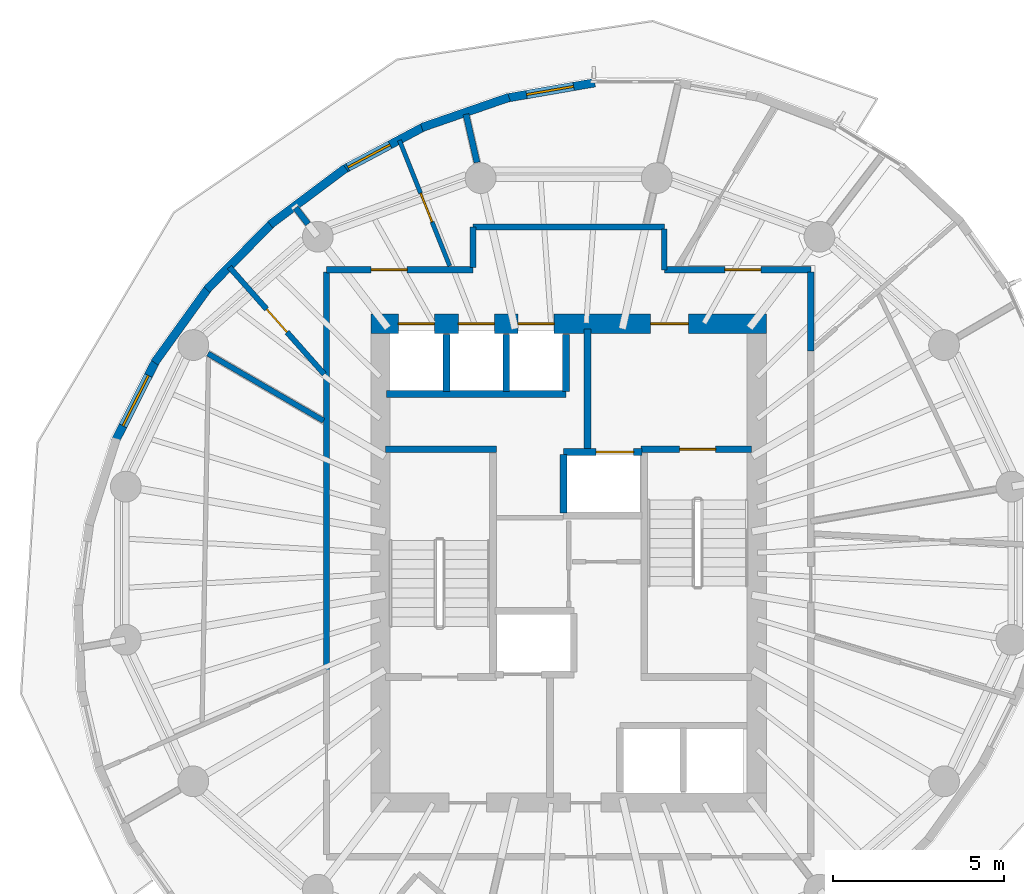
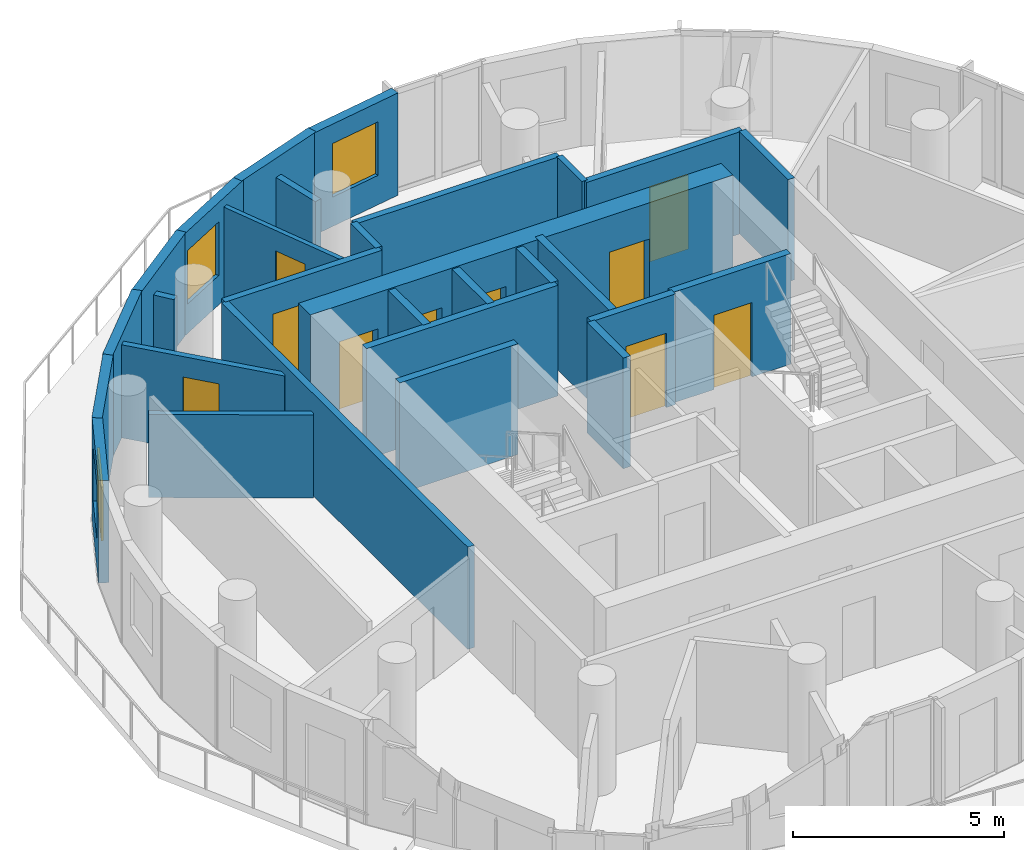
# One storey, part 6 of 10: 29 walls, 10 doors, 3 windows, 13 openings.
"""IFC4 building model written with IfcOpenShell, lengths in metres."""

from ifc_helpers import new_model, si_unit, direction, frame, frame_2d, origin, place, context, subcontext, project, spatial, rectangle, extrude, material, layer, layer_set, type_object, element, fill, save


model = new_model("IFC4")

# Units and contexts
model_context = context("Model", 3, precision=1e-05, world=origin(), true_north=direction((0.0, 1.0)))
body_context = subcontext(model_context, "Body", "Model", "MODEL_VIEW")
ifc_project = project(units=[si_unit("LENGTHUNIT", "METRE"), si_unit("AREAUNIT", "SQUARE_METRE"), si_unit("VOLUMEUNIT", "CUBIC_METRE"), si_unit("PLANEANGLEUNIT", "RADIAN"), si_unit("MASSUNIT", "GRAM", prefix="KILO")], contexts=[model_context])

# Site, building, storey
site_placement = place(None, origin())
site = spatial("IfcSite", under=ifc_project, at=site_placement, CompositionType="ELEMENT")
building_placement = place(site_placement, origin())
building = spatial("IfcBuilding", under=site, at=building_placement, Name="Veldorim Arch Residences", CompositionType="ELEMENT")
storey_placement = place(building_placement, frame((0.0, 0.0, 169.43994140625)))
storey = spatial("IfcBuildingStorey", under=building, at=storey_placement, Name="L50", CompositionType="ELEMENT", Elevation=169.43994140625)

# Wall, opening, door
ifc_material_1 = material(Name="Acoustic Gypsum Board", Category="gypsum")
ifc_layer_1 = layer(ifc_material_1, 0.125, Name="Acoustic Stud Room Partition Wall 125")
ifc_layer_set_1 = layer_set([ifc_layer_1], Name="Acoustic Gypsum Board")
wall_type_1 = type_object("IfcWallType", Name="Acoustic Stud Room Partition Wall 125", PredefinedType="PARTITIONING", material=ifc_layer_set_1)
wall_1_placement = place(storey_placement, frame((27.052734375, 36.364990234375, 0.0), z_axis=(0.0, 0.0, 1.0), x_axis=(0.371454506587, -0.928451156247, 0.0)))
wall_1 = element("IfcWall", 1, at=wall_1_placement, inside=storey, type_object=wall_type_1, Name="L50 interior wall WL-RES-L50-022", PredefinedType="PARTITIONING", context=body_context, shape_type="SweptSolid", body=[
    extrude(rectangle(XDim=3.956787109375, YDim=0.125, at=frame_2d((1.978515625, 0.0))), origin(), (0.0, 0.0, 1.0), 2.692138671875),
])
opening_1_placement = place(wall_1_placement, frame((1.66845703125, 0.0, 0.0)))
opening_1 = element("IfcOpeningElement", 2, at=opening_1_placement, cuts=wall_1, Name="Opening DR-INT", PredefinedType="OPENING", context=body_context, shape_type="SweptSolid", body=[
    extrude(rectangle(XDim=0.89990234375, YDim=2.10009765625, at=frame_2d((0.449951171875, 1.050048828125))), frame((0.0, 0.072509765625, 0.0), z_axis=(0.0, -1.0, 0.0), x_axis=(1.0, 0.0, 0.0)), (0.0, 0.0, 1.0), 0.14501953125),
])
ifc_material_2 = material(Name="Engineered Timber", Category="wood")
door_type_1 = type_object("IfcDoorType", Name="Apartment Internal Room Timber Door 900x2100", OperationType="SINGLE_SWING_LEFT", PredefinedType="DOOR", material=ifc_material_2)
door_1_placement = place(opening_1_placement, origin())
door_1 = element("IfcDoor", 3, at=door_1_placement, inside=storey, type_object=door_type_1, Name="L50 interior door DR-RES-L50-012", OperationType="SINGLE_SWING_RIGHT", OverallHeight=2.10009765625, OverallWidth=0.89990234375, PredefinedType="DOOR", context=body_context, shape_type="SweptSolid", body=[
    extrude(rectangle(XDim=0.89990234375, YDim=2.10009765625, at=frame_2d((0.449951171875, 1.050048828125))), frame((0.0, 0.02490234375, 0.0), z_axis=(0.0, -1.0, 0.0), x_axis=(1.0, 0.0, 0.0)), (0.0, 0.0, 1.0), 0.050048828125),
])
fill(opening_1, door_1)

# Walls
ifc_material_3 = material(Name="Lightweight Masonry Block & Gypsum", Category="masonry")
ifc_layer_2 = layer(ifc_material_3, 0.179931640625, Name="Compartment & Corridor Fire-Rated Party Wall 180")
ifc_layer_set_2 = layer_set([ifc_layer_2], Name="Lightweight Masonry Block & Gypsum")
wall_type_2 = type_object("IfcWallType", Name="Compartment & Corridor Fire-Rated Party Wall 180", PredefinedType="PARTITIONING", material=ifc_layer_set_2)
wall_2_placement = place(storey_placement, frame((29.320068359375, 35.717529296875, 0.0), z_axis=(0.0, 0.0, 1.0), x_axis=(-0.22299884629, 0.974818708557, 0.0)))
element("IfcWall", 4, at=wall_2_placement, inside=storey, type_object=wall_type_2, Name="L50 interior wall WL-PIER-L50-05", PredefinedType="PARTITIONING", context=body_context, shape_type="SweptSolid", body=[
    extrude(rectangle(XDim=1.447265625, YDim=0.179931640625, at=frame_2d((0.7236328125, 0.0))), origin(), (0.0, 0.0, 1.0), 2.403564453125),
])
wall_3_placement = place(storey_placement, frame((24.380126953125, 33.91796875, 0.0), z_axis=(0.0, 0.0, 1.0), x_axis=(-0.609274747308, 0.792959193334, 0.0)))
element("IfcWall", 5, at=wall_3_placement, inside=storey, type_object=wall_type_2, Name="L50 interior wall WL-PIER-L50-06", PredefinedType="PARTITIONING", context=body_context, shape_type="SweptSolid", body=[
    extrude(rectangle(XDim=0.595458984375, YDim=0.179931640625, at=frame_2d((0.2978515625, 0.0))), origin(), (0.0, 0.0, 1.0), 2.403564453125),
])

# Wall, opening, door
wall_4_placement = place(storey_placement, frame((34.800048828125, 32.580078125, 0.0), z_axis=(0.0, 0.0, 1.0), x_axis=(1.0, 0.0, 0.0)))
wall_4 = element("IfcWall", 6, at=wall_4_placement, inside=storey, type_object=wall_type_2, Name="L50 interior wall WL-RES-L50-003", PredefinedType="PARTITIONING", context=body_context, shape_type="SweptSolid", body=[
    extrude(rectangle(XDim=4.280029296875, YDim=0.179931640625, at=frame_2d((2.14013671875, 0.0))), origin(), (0.0, 0.0, 1.0), 2.955078125),
])
opening_2_placement = place(wall_4_placement, frame((1.76904296875, 0.0, 0.0)))
opening_2 = element("IfcOpeningElement", 7, at=opening_2_placement, cuts=wall_4, Name="Opening DR-FLT", PredefinedType="OPENING", context=body_context, shape_type="SweptSolid", body=[
    extrude(rectangle(XDim=1.050048828125, YDim=2.14990234375, at=frame_2d((0.52490234375, 1.074951171875))), frame((0.0, 0.099853515625, 0.0), z_axis=(0.0, -1.0, 0.0), x_axis=(1.0, 0.0, 0.0)), (0.0, 0.0, 1.0), 0.199951171875),
])
ifc_material_4 = material(Name="Fire-Rated Timber", Category="wood")
door_type_2 = type_object("IfcDoorType", Name="Apartment Entrance Solid-Core Fire Door 1050x2150", OperationType="SINGLE_SWING_LEFT", PredefinedType="DOOR", material=ifc_material_4)
door_2_placement = place(opening_2_placement, origin())
door_2 = element("IfcDoor", 8, at=door_2_placement, inside=storey, type_object=door_type_2, Name="L50 interior door DR-RES-L50-006", OperationType="SINGLE_SWING_RIGHT", OverallHeight=2.14990234375, OverallWidth=1.050048828125, PredefinedType="DOOR", context=body_context, shape_type="SweptSolid", body=[
    extrude(rectangle(XDim=1.050048828125, YDim=2.14990234375, at=frame_2d((0.52490234375, 1.074951171875))), frame((0.0, 0.02490234375, 0.0), z_axis=(0.0, -1.0, 0.0), x_axis=(1.0, 0.0, 0.0)), (0.0, 0.0, 1.0), 0.050048828125),
])
fill(opening_2, door_2)

# Walls
wall_5_placement = place(storey_placement, frame((39.080078125, 32.52001953125, 0.0), z_axis=(0.0, 0.0, 1.0), x_axis=(0.0, -1.0, 0.0)))
element("IfcWall", 9, at=wall_5_placement, inside=storey, type_object=wall_type_2, Name="L50 interior wall WL-RES-L50-004", PredefinedType="PARTITIONING", context=body_context, shape_type="SweptSolid", body=[
    extrude(rectangle(XDim=2.31884765625, YDim=0.179931640625, at=frame_2d((1.159423828125, 0.0))), origin(), (0.0, 0.0, 1.0), 2.955078125),
])
wall_6_placement = place(storey_placement, frame((29.199951171875, 33.830078125, 0.0), z_axis=(0.0, 0.0, 1.0), x_axis=(1.0, 0.0, 0.0)))
element("IfcWall", 10, at=wall_6_placement, inside=storey, type_object=wall_type_2, Name="L50 interior wall WL-RES-L50-005", PredefinedType="PARTITIONING", context=body_context, shape_type="SweptSolid", body=[
    extrude(rectangle(XDim=5.60009765625, YDim=0.179931640625, at=frame_2d((2.800048828125, 0.0))), origin(), (0.0, 0.0, 1.0), 2.955078125),
])

# Wall, opening, door
wall_7_placement = place(storey_placement, frame((24.919921875, 32.580078125, 0.0), z_axis=(0.0, 0.0, 1.0), x_axis=(1.0, 0.0, 0.0)))
wall_7 = element("IfcWall", 11, at=wall_7_placement, inside=storey, type_object=wall_type_2, Name="L50 interior wall WL-RES-L50-007", PredefinedType="PARTITIONING", context=body_context, shape_type="SweptSolid", body=[
    extrude(rectangle(XDim=4.280029296875, YDim=0.179931640625, at=frame_2d((2.14013671875, 0.0))), origin(), (0.0, 0.0, 1.0), 2.955078125),
])
opening_3_placement = place(wall_7_placement, frame((1.30859375, 0.0, 0.0)))
opening_3 = element("IfcOpeningElement", 12, at=opening_3_placement, cuts=wall_7, Name="Opening DR-FLT", PredefinedType="OPENING", context=body_context, shape_type="SweptSolid", body=[
    extrude(rectangle(XDim=1.050048828125, YDim=2.14990234375, at=frame_2d((0.52490234375, 1.074951171875))), frame((0.0, 0.099853515625, 0.0), z_axis=(0.0, -1.0, 0.0), x_axis=(1.0, 0.0, 0.0)), (0.0, 0.0, 1.0), 0.199951171875),
])
door_3_placement = place(opening_3_placement, origin())
door_3 = element("IfcDoor", 13, at=door_3_placement, inside=storey, type_object=door_type_2, Name="L50 interior door DR-RES-L50-010", OperationType="SINGLE_SWING_RIGHT", OverallHeight=2.14990234375, OverallWidth=1.050048828125, PredefinedType="DOOR", context=body_context, shape_type="SweptSolid", body=[
    extrude(rectangle(XDim=1.050048828125, YDim=2.14990234375, at=frame_2d((0.52490234375, 1.074951171875))), frame((0.0, 0.02490234375, 0.0), z_axis=(0.0, -1.0, 0.0), x_axis=(1.0, 0.0, 0.0)), (0.0, 0.0, 1.0), 0.050048828125),
])
fill(opening_3, door_3)

# Walls
wall_8_placement = place(storey_placement, frame((24.919921875, 20.85009765625, 0.0), z_axis=(0.0, 0.0, 1.0), x_axis=(0.0, 1.0, 0.0)))
element("IfcWall", 14, at=wall_8_placement, inside=storey, type_object=wall_type_2, Name="L50 interior wall WL-RES-L50-008", PredefinedType="PARTITIONING", context=body_context, shape_type="SweptSolid", body=[
    extrude(rectangle(XDim=11.669921875, YDim=0.179931640625, at=frame_2d((5.8349609375, 0.0))), origin(), (0.0, 0.0, 1.0), 2.955078125),
])
wall_9_placement = place(storey_placement, frame((29.199951171875, 32.639892578125, 0.0), z_axis=(0.0, 0.0, 1.0), x_axis=(0.0, 1.0, 0.0)))
element("IfcWall", 15, at=wall_9_placement, inside=storey, type_object=wall_type_2, Name="L50 interior wall WL-RES-L50-009", PredefinedType="PARTITIONING", context=body_context, shape_type="SweptSolid", body=[
    extrude(rectangle(XDim=1.190185546875, YDim=0.179931640625, at=frame_2d((0.59521484375, 0.0))), origin(), (0.0, 0.0, 1.0), 2.955078125),
])
ifc_material_5 = material(Name="Concrete C50/60", Category="concrete")
ifc_layer_3 = layer(ifc_material_5, 0.199951171875, Name="Core Stair & Lift Shaft Enclosure Wall 200")
ifc_layer_set_3 = layer_set([ifc_layer_3], Name="Concrete C50/60")
wall_type_3 = type_object("IfcWallType", Name="Core Stair & Lift Shaft Enclosure Wall 200", PredefinedType="SHEAR", material=ifc_layer_set_3)
wall_10_placement = place(storey_placement, frame((26.64990234375, 27.330078125, 0.0), z_axis=(0.0, 0.0, 1.0), x_axis=(1.0, 0.0, 0.0)))
element("IfcWall", 16, at=wall_10_placement, inside=storey, type_object=wall_type_3, Name="L50 shaft wall WL-SHF-L50-ST1-N", PredefinedType="SHEAR", context=body_context, shape_type="SweptSolid", body=[
    extrude(rectangle(XDim=3.239990234375, YDim=0.199951171875, at=frame_2d((1.6201171875, 0.0))), origin(), (0.0, 0.0, 1.0), 3.199951171875),
])

# Wall, opening, door
wall_11_placement = place(storey_placement, frame((34.110107421875, 27.330078125, 0.0), z_axis=(0.0, 0.0, 1.0), x_axis=(1.0, 0.0, 0.0)))
wall_11 = element("IfcWall", 17, at=wall_11_placement, inside=storey, type_object=wall_type_3, Name="L50 shaft wall WL-SHF-L50-ST2-N", PredefinedType="SHEAR", context=body_context, shape_type="SweptSolid", body=[
    extrude(rectangle(XDim=3.239990234375, YDim=0.199951171875, at=frame_2d((1.6201171875, 0.0))), origin(), (0.0, 0.0, 1.0), 3.199951171875),
])
opening_4_placement = place(wall_11_placement, frame((1.135009765625, 0.0, 0.0)))
opening_4 = element("IfcOpeningElement", 18, at=opening_4_placement, cuts=wall_11, Name="Opening DR-ST", PredefinedType="OPENING", context=body_context, shape_type="SweptSolid", body=[
    extrude(rectangle(XDim=1.050048828125, YDim=2.14990234375, at=frame_2d((0.52490234375, 1.074951171875))), frame((0.0, 0.10986328125, 0.0), z_axis=(0.0, -1.0, 0.0), x_axis=(1.0, 0.0, 0.0)), (0.0, 0.0, 1.0), 0.219970703125),
])
ifc_material_6 = material(Name="Fire-Rated Steel", Category="steel")
door_type_3 = type_object("IfcDoorType", Name="Exit Staircase Self-Closing Fire Door 1050x2150", OperationType="SINGLE_SWING_LEFT", PredefinedType="DOOR", material=ifc_material_6)
door_4_placement = place(opening_4_placement, origin())
door_4 = element("IfcDoor", 19, at=door_4_placement, inside=storey, type_object=door_type_3, Name="L50 interior door DR-L50-ST2", OperationType="SINGLE_SWING_RIGHT", OverallHeight=2.14990234375, OverallWidth=1.050048828125, PredefinedType="DOOR", context=body_context, shape_type="SweptSolid", body=[
    extrude(rectangle(XDim=1.050048828125, YDim=2.14990234375, at=frame_2d((0.52490234375, 1.074951171875))), frame((0.0, 0.02490234375, 0.0), z_axis=(0.0, -1.0, 0.0), x_axis=(1.0, 0.0, 0.0)), (0.0, 0.0, 1.0), 0.050048828125),
])
fill(opening_4, door_4)

# Wall
wall_12_placement = place(storey_placement, frame((32.550048828125, 27.35009765625, 0.0), z_axis=(0.0, 0.0, 1.0), x_axis=(0.0, 1.0, 0.0)))
element("IfcWall", 20, at=wall_12_placement, inside=storey, type_object=wall_type_3, Name="L50 shaft wall WL-FFL2-L50-W", PredefinedType="SHEAR", context=body_context, shape_type="SweptSolid", body=[
    extrude(rectangle(XDim=3.5, YDim=0.199951171875, at=frame_2d((1.75, 0.0))), origin(), (0.0, 0.0, 1.0), 3.199951171875),
])

# Wall, opening, door
wall_13_placement = place(storey_placement, frame((31.85009765625, 27.25, 0.0), z_axis=(0.0, 0.0, 1.0), x_axis=(1.0, 0.0, 0.0)))
wall_13 = element("IfcWall", 21, at=wall_13_placement, inside=storey, type_object=wall_type_3, Name="L50 shaft wall WL-FL02-L50-N", PredefinedType="SHEAR", context=body_context, shape_type="SweptSolid", body=[
    extrude(rectangle(XDim=2.2998046875, YDim=0.199951171875, at=frame_2d((1.14990234375, 0.0))), origin(), (0.0, 0.0, 1.0), 3.199951171875),
])
opening_5_placement = place(wall_13_placement, frame((0.949951171875, 0.0, 0.0)))
opening_5 = element("IfcOpeningElement", 22, at=opening_5_placement, cuts=wall_13, Name="Opening LD-FF", PredefinedType="OPENING", context=body_context, shape_type="SweptSolid", body=[
    extrude(rectangle(XDim=1.10009765625, YDim=2.14990234375, at=frame_2d((0.550048828125, 1.074951171875))), frame((0.0, 0.10986328125, 0.0), z_axis=(0.0, -1.0, 0.0), x_axis=(1.0, 0.0, 0.0)), (0.0, 0.0, 1.0), 0.219970703125),
])
ifc_material_7 = material(Name="Stainless Steel", Category="steel")
door_type_4 = type_object("IfcDoorType", Name="Firefighting Lift Bi-Parting Sliding Landing Door 1100x2150", OperationType="DOUBLE_DOOR_SLIDING", PredefinedType="DOOR", material=ifc_material_7)
door_5_placement = place(opening_5_placement, origin())
door_5 = element("IfcDoor", 23, at=door_5_placement, inside=storey, type_object=door_type_4, Name="L50 lift landing door LD-L50-FL02", OperationType="DOUBLE_DOOR_SLIDING", OverallHeight=2.14990234375, OverallWidth=1.10009765625, PredefinedType="DOOR", context=body_context, shape_type="SweptSolid", body=[
    extrude(rectangle(XDim=1.10009765625, YDim=2.14990234375, at=frame_2d((0.550048828125, 1.074951171875))), frame((0.0, 0.02490234375, 0.0), z_axis=(0.0, -1.0, 0.0), x_axis=(1.0, 0.0, 0.0)), (0.0, 0.0, 1.0), 0.050048828125),
])
fill(opening_5, door_5)

# Walls
wall_14_placement = place(storey_placement, frame((31.85009765625, 25.469970703125, 0.0), z_axis=(0.0, 0.0, 1.0), x_axis=(0.0, 1.0, 0.0)))
element("IfcWall", 24, at=wall_14_placement, inside=storey, type_object=wall_type_3, Name="L50 shaft wall WL-FL02-L50-W", PredefinedType="SHEAR", context=body_context, shape_type="SweptSolid", body=[
    extrude(rectangle(XDim=1.7099609375, YDim=0.199951171875, at=frame_2d((0.85498046875, 0.0))), origin(), (0.0, 0.0, 1.0), 3.199951171875),
])
wall_15_placement = place(storey_placement, frame((26.679931640625, 28.949951171875, 0.0), z_axis=(0.0, 0.0, 1.0), x_axis=(1.0, 0.0, 0.0)))
element("IfcWall", 25, at=wall_15_placement, inside=storey, type_object=wall_type_3, Name="L50 shaft wall WL-B3-L50-S", PredefinedType="SHEAR", context=body_context, shape_type="SweptSolid", body=[
    extrude(rectangle(XDim=5.239990234375, YDim=0.199951171875, at=frame_2d((2.6201171875, 0.0))), origin(), (0.0, 0.0, 1.0), 3.199951171875),
])
for number, where, z_axis, x_axis, name in (
    (26, (31.919921875, 29.02001953125, 0.0), (0.0, 0.0, 1.0), (0.0, 1.0, 0.0), "L50 shaft wall WL-B3-L50-E"),
    (27, (28.425048828125, 29.02001953125, 0.0), (0.0, 0.0, 1.0), (0.0, 1.0, 0.0), "L50 shaft wall WL-B3-L50-D1"),
    (28, (30.175048828125, 29.02001953125, 0.0), (0.0, 0.0, 1.0), (0.0, 1.0, 0.0), "L50 shaft wall WL-B3-L50-D2"),
):
    element("IfcWall", number, at=place(storey_placement, frame(where, z_axis=z_axis, x_axis=x_axis)), inside=storey, type_object=wall_type_3, Name=name, PredefinedType="SHEAR", context=body_context, shape_type="SweptSolid", body=[
        extrude(rectangle(XDim=1.659912109375, YDim=0.199951171875, at=frame_2d((0.830078125, 0.0))), origin(), (0.0, 0.0, 1.0), 3.199951171875),
    ])

# Wall, opening, window
ifc_material_8 = material(Name="Precast concrete C40/50", Category="concrete")
ifc_layer_4 = layer(ifc_material_8, 0.25, Name="Tower Terracotta Spandrel & Pier Wall 250")
ifc_layer_set_4 = layer_set([ifc_layer_4], Name="Precast concrete C40/50")
wall_type_4 = type_object("IfcWallType", Name="Tower Terracotta Spandrel & Pier Wall 250", PredefinedType="SOLIDWALL", material=ifc_layer_set_4)
wall_16_placement = place(storey_placement, frame((30.15185546875, 37.595458984375, 0.0), z_axis=(0.0, 0.0, 1.0), x_axis=(0.985331154473, 0.170653203967, 0.0)))
wall_16 = element("IfcWall", 29, at=wall_16_placement, inside=storey, type_object=wall_type_4, Name="L50 terracotta facade wall 06", PredefinedType="SOLIDWALL", context=body_context, shape_type="SweptSolid", body=[
    extrude(rectangle(XDim=2.65087890625, YDim=0.25, at=frame_2d((1.325439453125, 0.0))), origin(), (0.0, 0.0, 1.0), 2.9599609375),
])
opening_6_placement = place(wall_16_placement, frame((0.625, 0.0, 0.85009765625)))
opening_6 = element("IfcOpeningElement", 30, at=opening_6_placement, cuts=wall_16, Name="Opening WN-02", PredefinedType="OPENING", context=body_context, shape_type="SweptSolid", body=[
    extrude(rectangle(XDim=1.39990234375, YDim=1.550048828125, at=frame_2d((0.699951171875, 0.77490234375))), frame((0.0, 0.135009765625, 0.0), z_axis=(0.0, -1.0, 0.0), x_axis=(1.0, 0.0, 0.0)), (0.0, 0.0, 1.0), 0.27001953125),
])
ifc_material_9 = material(Name="Laminated Low-E Glass", Category="glass")
window_type_1 = type_object("IfcWindowType", Name="Residential Casement Window 1400x1550", PartitioningType="SINGLE_PANEL", PredefinedType="WINDOW", material=ifc_material_9)
window_1_placement = place(opening_6_placement, origin())
window_1 = element("IfcWindow", 31, at=window_1_placement, inside=storey, type_object=window_type_1, Name="L50 solar-control facade window 06", OverallHeight=1.550048828125, OverallWidth=1.39990234375, PartitioningType="SINGLE_PANEL", PredefinedType="WINDOW", context=body_context, shape_type="SweptSolid", body=[
    extrude(rectangle(XDim=1.39990234375, YDim=1.550048828125, at=frame_2d((0.699951171875, 0.77490234375))), frame((0.0, 0.030029296875, 0.0), z_axis=(0.0, -1.0, 0.0), x_axis=(1.0, 0.0, 0.0)), (0.0, 0.0, 1.0), 0.06005859375),
])
fill(opening_6, window_1)

# Wall
wall_17_placement = place(storey_placement, frame((27.705078125, 36.7392578125, 0.0), z_axis=(0.0, 0.0, 1.0), x_axis=(0.945016150651, 0.327023661236, 0.0)))
element("IfcWall", 32, at=wall_17_placement, inside=storey, type_object=wall_type_4, Name="L50 terracotta facade wall 07", PredefinedType="SOLIDWALL", context=body_context, shape_type="SweptSolid", body=[
    extrude(rectangle(XDim=2.70166015625, YDim=0.25, at=frame_2d((1.350830078125, 0.0))), origin(), (0.0, 0.0, 1.0), 2.9599609375),
])

# Wall, opening, window
wall_18_placement = place(storey_placement, frame((25.388427734375, 35.495361328125, 0.0), z_axis=(0.0, 0.0, 1.0), x_axis=(0.88257494418, 0.47017174299, 0.0)))
wall_18 = element("IfcWall", 33, at=wall_18_placement, inside=storey, type_object=wall_type_4, Name="L50 terracotta facade wall 08", PredefinedType="SOLIDWALL", context=body_context, shape_type="SweptSolid", body=[
    extrude(rectangle(XDim=2.738525390625, YDim=0.25, at=frame_2d((1.369140625, 0.0))), origin(), (0.0, 0.0, 1.0), 2.9599609375),
])
opening_7_placement = place(wall_18_placement, frame((0.175048828125, 0.0, 0.85009765625)))
opening_7 = element("IfcOpeningElement", 34, at=opening_7_placement, cuts=wall_18, Name="Opening WN-02", PredefinedType="OPENING", context=body_context, shape_type="SweptSolid", body=[
    extrude(rectangle(XDim=1.39990234375, YDim=1.550048828125, at=frame_2d((0.699951171875, 0.77490234375))), frame((0.0, 0.135009765625, 0.0), z_axis=(0.0, -1.0, 0.0), x_axis=(1.0, 0.0, 0.0)), (0.0, 0.0, 1.0), 0.27001953125),
])
window_2_placement = place(opening_7_placement, origin())
window_2 = element("IfcWindow", 35, at=window_2_placement, inside=storey, type_object=window_type_1, Name="L50 solar-control facade window 08", OverallHeight=1.550048828125, OverallWidth=1.39990234375, PartitioningType="SINGLE_PANEL", PredefinedType="WINDOW", context=body_context, shape_type="SweptSolid", body=[
    extrude(rectangle(XDim=1.39990234375, YDim=1.550048828125, at=frame_2d((0.699951171875, 0.77490234375))), frame((0.0, 0.030029296875, 0.0), z_axis=(0.0, -1.0, 0.0), x_axis=(1.0, 0.0, 0.0)), (0.0, 0.0, 1.0), 0.06005859375),
])
fill(opening_7, window_2)

# Walls
wall_19_placement = place(storey_placement, frame((23.272216796875, 33.9013671875, 0.0), z_axis=(0.0, 0.0, 1.0), x_axis=(0.800636941996, 0.599149803564, 0.0)))
element("IfcWall", 36, at=wall_19_placement, inside=storey, type_object=wall_type_4, Name="L50 terracotta facade wall 09", PredefinedType="SOLIDWALL", context=body_context, shape_type="SweptSolid", body=[
    extrude(rectangle(XDim=2.7578125, YDim=0.25, at=frame_2d((1.37890625, 0.0))), origin(), (0.0, 0.0, 1.0), 2.9599609375),
])
wall_20_placement = place(storey_placement, frame((21.421142578125, 32.00537109375, 0.0), z_axis=(0.0, 0.0, 1.0), x_axis=(0.700794099323, 0.713363603189, 0.0)))
element("IfcWall", 37, at=wall_20_placement, inside=storey, type_object=wall_type_4, Name="L50 terracotta facade wall 10", PredefinedType="SOLIDWALL", context=body_context, shape_type="SweptSolid", body=[
    extrude(rectangle(XDim=2.758056640625, YDim=0.25, at=frame_2d((1.37890625, 0.0))), origin(), (0.0, 0.0, 1.0), 2.9599609375),
])
wall_21_placement = place(storey_placement, frame((19.892333984375, 29.865478515625, 0.0), z_axis=(0.0, 0.0, 1.0), x_axis=(0.583975860001, 0.811771023711, 0.0)))
element("IfcWall", 38, at=wall_21_placement, inside=storey, type_object=wall_type_4, Name="L50 terracotta facade wall 11", PredefinedType="SOLIDWALL", context=body_context, shape_type="SweptSolid", body=[
    extrude(rectangle(XDim=2.73828125, YDim=0.25, at=frame_2d((1.369140625, 0.0))), origin(), (0.0, 0.0, 1.0), 2.9599609375),
])

# Wall, opening, window
wall_22_placement = place(storey_placement, frame((18.732177734375, 27.546630859375, 0.0), z_axis=(0.0, 0.0, 1.0), x_axis=(0.450391703917, 0.892831066352, 0.0)))
wall_22 = element("IfcWall", 39, at=wall_22_placement, inside=storey, type_object=wall_type_4, Name="L50 terracotta facade wall 12", PredefinedType="SOLIDWALL", context=body_context, shape_type="SweptSolid", body=[
    extrude(rectangle(XDim=2.70166015625, YDim=0.25, at=frame_2d((1.350830078125, 0.0))), origin(), (0.0, 0.0, 1.0), 2.9599609375),
])
opening_8_placement = place(wall_22_placement, frame((0.52587890625, 0.0, 0.85009765625)))
opening_8 = element("IfcOpeningElement", 40, at=opening_8_placement, cuts=wall_22, Name="Opening WN-03", PredefinedType="OPENING", context=body_context, shape_type="SweptSolid", body=[
    extrude(rectangle(XDim=1.64990234375, YDim=1.550048828125, at=frame_2d((0.824951171875, 0.77490234375))), frame((0.0, 0.135009765625, 0.0), z_axis=(0.0, -1.0, 0.0), x_axis=(1.0, 0.0, 0.0)), (0.0, 0.0, 1.0), 0.27001953125),
])
ifc_material_10 = material(Name="Laminated Low-E Glass", Category="glass")
window_type_2 = type_object("IfcWindowType", Name="Residential Wide Window 1650x1550", PartitioningType="SINGLE_PANEL", PredefinedType="WINDOW", material=ifc_material_10)
window_3_placement = place(opening_8_placement, origin())
window_3 = element("IfcWindow", 41, at=window_3_placement, inside=storey, type_object=window_type_2, Name="L50 solar-control facade window 12", OverallHeight=1.550048828125, OverallWidth=1.64990234375, PartitioningType="SINGLE_PANEL", PredefinedType="WINDOW", context=body_context, shape_type="SweptSolid", body=[
    extrude(rectangle(XDim=1.64990234375, YDim=1.550048828125, at=frame_2d((0.824951171875, 0.77490234375))), frame((0.0, 0.030029296875, 0.0), z_axis=(0.0, -1.0, 0.0), x_axis=(1.0, 0.0, 0.0)), (0.0, 0.0, 1.0), 0.06005859375),
])
fill(opening_8, window_3)

# Wall, openings, doors
ifc_material_11 = material(Name="Concrete C50/60", Category="concrete")
ifc_layer_5 = layer(ifc_material_11, 0.5, Name="Upper Central Core Shear Wall 560")
ifc_layer_set_5 = layer_set([ifc_layer_5], Name="Concrete C50/60")
wall_type_5 = type_object("IfcWallType", Name="Upper Central Core Shear Wall 560", PredefinedType="SHEAR", material=ifc_layer_set_5)
wall_23_placement = place(storey_placement, frame((26.219970703125, 31.0, 0.0), z_axis=(0.0, 0.0, 1.0), x_axis=(1.0, 0.0, 0.0)))
wall_23 = element("IfcWall", 42, at=wall_23_placement, inside=storey, type_object=wall_type_5, Name="L50 central core north shear wall", PredefinedType="SHEAR", context=body_context, shape_type="SweptSolid", body=[
    extrude(rectangle(XDim=11.56005859375, YDim=0.56005859375, at=frame_2d((5.780029296875, 0.0))), origin(), (0.0, 0.0, 1.0), 3.199951171875),
])
opening_9_placement = place(wall_23_placement, frame((8.179931640625, 0.0, 0.0)))
opening_9 = element("IfcOpeningElement", 43, at=opening_9_placement, cuts=wall_23, Name="Opening DR-FFL", PredefinedType="OPENING", context=body_context, shape_type="SweptSolid", body=[
    extrude(rectangle(XDim=1.10009765625, YDim=2.14990234375, at=frame_2d((0.550048828125, 1.074951171875))), frame((0.0, 0.2900390625, 0.0), z_axis=(0.0, -1.0, 0.0), x_axis=(1.0, 0.0, 0.0)), (0.0, 0.0, 1.0), 0.580078125),
])
opening_10_placement = place(wall_23_placement, frame((0.804931640625, 0.0, 0.0)))
opening_10 = element("IfcOpeningElement", 44, at=opening_10_placement, cuts=wall_23, Name="Opening LD-PS", PredefinedType="OPENING", context=body_context, shape_type="SweptSolid", body=[
    extrude(rectangle(XDim=1.050048828125, YDim=2.14990234375, at=frame_2d((0.52490234375, 1.074951171875))), frame((0.0, 0.2900390625, 0.0), z_axis=(0.0, -1.0, 0.0), x_axis=(1.0, 0.0, 0.0)), (0.0, 0.0, 1.0), 0.580078125),
])
opening_11_placement = place(wall_23_placement, frame((2.554931640625, 0.0, 0.0)))
opening_11 = element("IfcOpeningElement", 45, at=opening_11_placement, cuts=wall_23, Name="Opening LD-PS", PredefinedType="OPENING", context=body_context, shape_type="SweptSolid", body=[
    extrude(rectangle(XDim=1.050048828125, YDim=2.14990234375, at=frame_2d((0.52490234375, 1.074951171875))), frame((0.0, 0.2900390625, 0.0), z_axis=(0.0, -1.0, 0.0), x_axis=(1.0, 0.0, 0.0)), (0.0, 0.0, 1.0), 0.580078125),
])
opening_12_placement = place(wall_23_placement, frame((4.304931640625, 0.0, 0.0)))
opening_12 = element("IfcOpeningElement", 46, at=opening_12_placement, cuts=wall_23, Name="Opening LD-PS", PredefinedType="OPENING", context=body_context, shape_type="SweptSolid", body=[
    extrude(rectangle(XDim=1.050048828125, YDim=2.14990234375, at=frame_2d((0.52490234375, 1.074951171875))), frame((0.0, 0.2900390625, 0.0), z_axis=(0.0, -1.0, 0.0), x_axis=(1.0, 0.0, 0.0)), (0.0, 0.0, 1.0), 0.580078125),
])
ifc_material_12 = material(Name="Fire-Rated Steel & Vision Glass", Category="steel")
door_type_5 = type_object("IfcDoorType", Name="Firefighting Lobby Smoke-Stop Fire Door 1100x2150", OperationType="SINGLE_SWING_LEFT", PredefinedType="DOOR", material=ifc_material_12)
door_6_placement = place(opening_9_placement, origin())
door_6 = element("IfcDoor", 47, at=door_6_placement, inside=storey, type_object=door_type_5, Name="L50 interior door DR-L50-FFL2", OperationType="SINGLE_SWING_LEFT", OverallHeight=2.14990234375, OverallWidth=1.10009765625, PredefinedType="DOOR", context=body_context, shape_type="SweptSolid", body=[
    extrude(rectangle(XDim=1.10009765625, YDim=2.14990234375, at=frame_2d((0.550048828125, 1.074951171875))), frame((0.0, 0.02490234375, 0.0), z_axis=(0.0, -1.0, 0.0), x_axis=(1.0, 0.0, 0.0)), (0.0, 0.0, 1.0), 0.050048828125),
])
fill(opening_9, door_6)
ifc_material_13 = material(Name="Stainless Steel", Category="steel")
door_type_6 = type_object("IfcDoorType", Name="Passenger Lift Bi-Parting Sliding Landing Door 1050x2150", OperationType="DOUBLE_DOOR_SLIDING", PredefinedType="DOOR", material=ifc_material_13)
door_7_placement = place(opening_10_placement, origin())
door_7 = element("IfcDoor", 48, at=door_7_placement, inside=storey, type_object=door_type_6, Name="L50 lift landing door LD-L50-PL-08", OperationType="DOUBLE_DOOR_SLIDING", OverallHeight=2.14990234375, OverallWidth=1.050048828125, PredefinedType="DOOR", context=body_context, shape_type="SweptSolid", body=[
    extrude(rectangle(XDim=1.050048828125, YDim=2.14990234375, at=frame_2d((0.52490234375, 1.074951171875))), frame((0.0, 0.02490234375, 0.0), z_axis=(0.0, -1.0, 0.0), x_axis=(1.0, 0.0, 0.0)), (0.0, 0.0, 1.0), 0.050048828125),
])
fill(opening_10, door_7)
door_8_placement = place(opening_11_placement, origin())
door_8 = element("IfcDoor", 49, at=door_8_placement, inside=storey, type_object=door_type_6, Name="L50 lift landing door LD-L50-PL-09", OperationType="DOUBLE_DOOR_SLIDING", OverallHeight=2.14990234375, OverallWidth=1.050048828125, PredefinedType="DOOR", context=body_context, shape_type="SweptSolid", body=[
    extrude(rectangle(XDim=1.050048828125, YDim=2.14990234375, at=frame_2d((0.52490234375, 1.074951171875))), frame((0.0, 0.02490234375, 0.0), z_axis=(0.0, -1.0, 0.0), x_axis=(1.0, 0.0, 0.0)), (0.0, 0.0, 1.0), 0.050048828125),
])
fill(opening_11, door_8)
door_9_placement = place(opening_12_placement, origin())
door_9 = element("IfcDoor", 50, at=door_9_placement, inside=storey, type_object=door_type_6, Name="L50 lift landing door LD-L50-PL-10", OperationType="DOUBLE_DOOR_SLIDING", OverallHeight=2.14990234375, OverallWidth=1.050048828125, PredefinedType="DOOR", context=body_context, shape_type="SweptSolid", body=[
    extrude(rectangle(XDim=1.050048828125, YDim=2.14990234375, at=frame_2d((0.52490234375, 1.074951171875))), frame((0.0, 0.02490234375, 0.0), z_axis=(0.0, -1.0, 0.0), x_axis=(1.0, 0.0, 0.0)), (0.0, 0.0, 1.0), 0.050048828125),
])
fill(opening_12, door_9)

# Wall
ifc_material_14 = material(Name="Moisture-Resistant Gypsum & Stud", Category="gypsum")
ifc_layer_6 = layer(ifc_material_14, 0.159912109375, Name="Wet-Area Moisture-Resistant Plumbing Wall 160")
ifc_layer_set_6 = layer_set([ifc_layer_6], Name="Moisture-Resistant Gypsum & Stud")
wall_type_6 = type_object("IfcWallType", Name="Wet-Area Moisture-Resistant Plumbing Wall 160", PredefinedType="PLUMBINGWALL", material=ifc_layer_set_6)
wall_24_placement = place(storey_placement, frame((34.800048828125, 33.77001953125, 0.0), z_axis=(0.0, 0.0, 1.0), x_axis=(0.0, -1.0, 0.0)))
element("IfcWall", 51, at=wall_24_placement, inside=storey, type_object=wall_type_6, Name="L50 interior wall WL-RES-L50-006", PredefinedType="PLUMBINGWALL", context=body_context, shape_type="SweptSolid", body=[
    extrude(rectangle(XDim=1.18994140625, YDim=0.159912109375, at=frame_2d((0.594970703125, 0.0))), origin(), (0.0, 0.0, 1.0), 2.955078125),
])

# Wall, opening, door
wall_25_placement = place(storey_placement, frame((24.853759765625, 29.526611328125, 0.0), z_axis=(0.0, 0.0, 1.0), x_axis=(-0.663007196405, 0.748613022539, 0.0)))
wall_25 = element("IfcWall", 52, at=wall_25_placement, inside=storey, type_object=wall_type_6, Name="L50 interior wall WL-RES-L50-021", PredefinedType="PLUMBINGWALL", context=body_context, shape_type="SweptSolid", body=[
    extrude(rectangle(XDim=4.180908203125, YDim=0.159912109375, at=frame_2d((2.09033203125, 0.0))), origin(), (0.0, 0.0, 1.0), 2.692138671875),
])
opening_13_placement = place(wall_25_placement, frame((1.640380859375, 0.0, 0.0)))
opening_13 = element("IfcOpeningElement", 53, at=opening_13_placement, cuts=wall_25, Name="Opening DR-WC", PredefinedType="OPENING", context=body_context, shape_type="SweptSolid", body=[
    extrude(rectangle(XDim=0.89990234375, YDim=2.10009765625, at=frame_2d((0.449951171875, 1.050048828125))), frame((0.0, 0.08984375, 0.0), z_axis=(0.0, -1.0, 0.0), x_axis=(1.0, 0.0, 0.0)), (0.0, 0.0, 1.0), 0.179931640625),
])
ifc_material_15 = material(Name="Laminate Timber", Category="wood")
door_type_7 = type_object("IfcDoorType", Name="Bathroom & Accessible WC Moisture-Sealed Door 900x2100", OperationType="SINGLE_SWING_LEFT", PredefinedType="DOOR", material=ifc_material_15)
door_10_placement = place(opening_13_placement, origin())
door_10 = element("IfcDoor", 54, at=door_10_placement, inside=storey, type_object=door_type_7, Name="L50 interior door DR-RES-L50-011", OperationType="SINGLE_SWING_LEFT", OverallHeight=2.10009765625, OverallWidth=0.89990234375, PredefinedType="DOOR", context=body_context, shape_type="SweptSolid", body=[
    extrude(rectangle(XDim=0.89990234375, YDim=2.10009765625, at=frame_2d((0.449951171875, 1.050048828125))), frame((0.0, 0.02490234375, 0.0), z_axis=(0.0, -1.0, 0.0), x_axis=(1.0, 0.0, 0.0)), (0.0, 0.0, 1.0), 0.050048828125),
])
fill(opening_13, door_10)

# Wall
wall_26_placement = place(storey_placement, frame((24.83349609375, 28.164306640625, 0.0), z_axis=(0.0, 0.0, 1.0), x_axis=(-0.864611299978, 0.50244133981, 0.0)))
element("IfcWall", 55, at=wall_26_placement, inside=storey, type_object=wall_type_6, Name="L50 interior wall WL-RES-L50-023", PredefinedType="PLUMBINGWALL", context=body_context, shape_type="SweptSolid", body=[
    extrude(rectangle(XDim=3.9091796875, YDim=0.159912109375, at=frame_2d((1.95458984375, 0.0))), origin(), (0.0, 0.0, 1.0), 2.403564453125),
])

save(model, "model.ifc")
